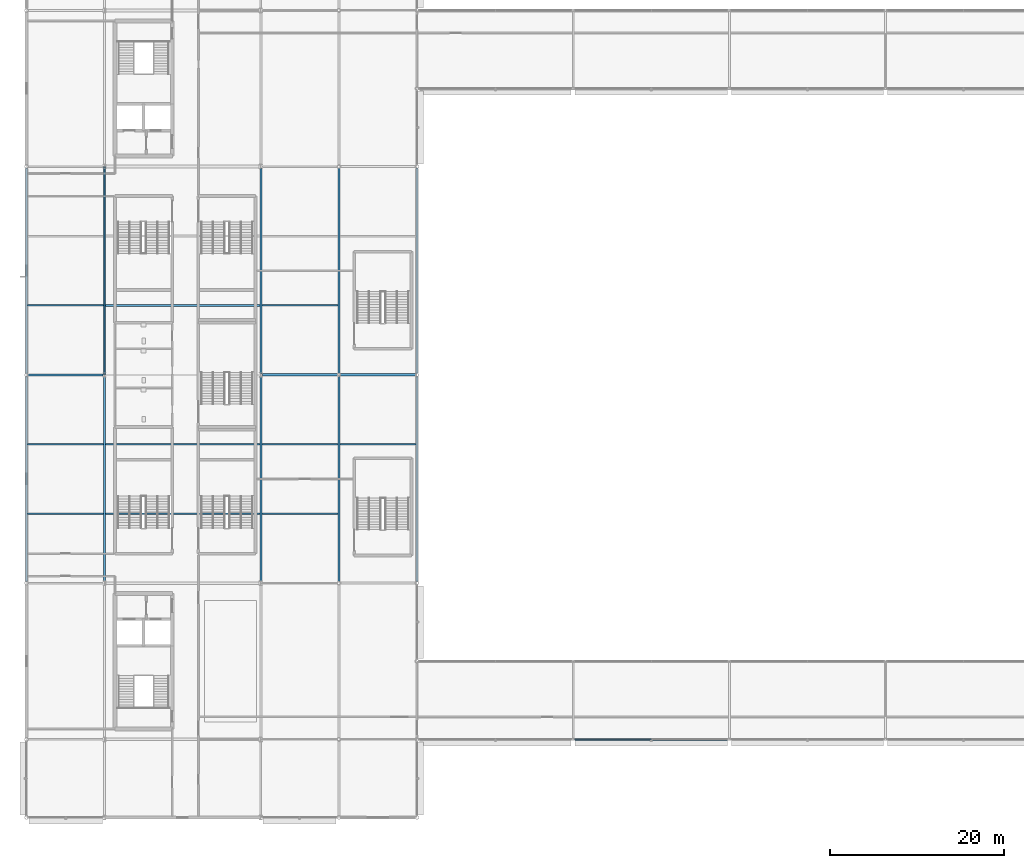
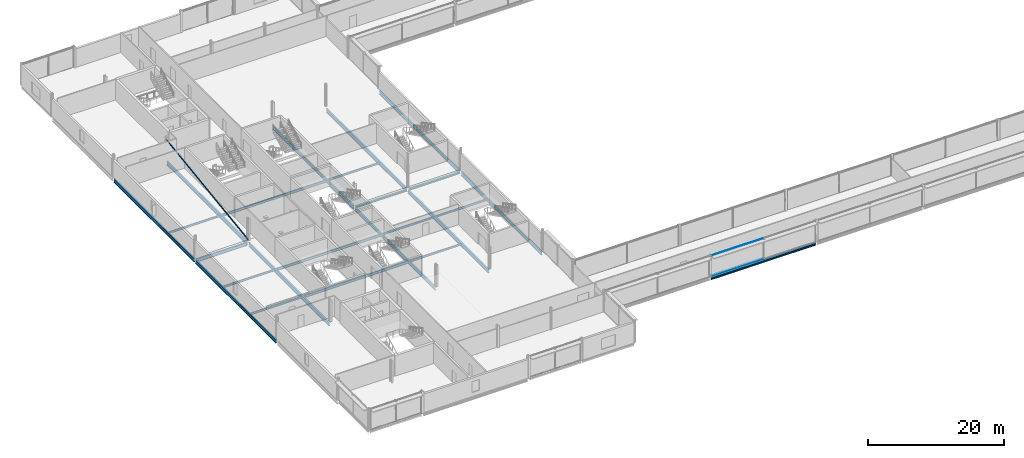
# One storey, part 22 of 96: 24 beams, 3 members, 1 element without a shape of its own.
"""IFC4 building model written with IfcOpenShell, lengths in metres."""

from ifc_helpers import new_model, si_unit, direction, frame, origin, origin_2d, place, context, subcontext, project, spatial, rectangle, hollow_circle, i_section, extrude, material, layer, layer_set, material_profile, profile_set, type_object, element, aggregate, save


model = new_model("IFC4")

# Units and contexts
model_context = context("Model", 3, precision=1e-05, world=origin(), true_north=direction((0.0, 1.0)))
body_context = subcontext(model_context, "Body", "Model", "MODEL_VIEW")
ifc_project = project(units=[si_unit("LENGTHUNIT", "METRE"), si_unit("AREAUNIT", "SQUARE_METRE"), si_unit("VOLUMEUNIT", "CUBIC_METRE"), si_unit("PLANEANGLEUNIT", "RADIAN"), si_unit("MASSUNIT", "GRAM", prefix="KILO")], contexts=[model_context])

# Site, building, storey
site_placement = place(None, origin())
site = spatial("IfcSite", under=ifc_project, at=site_placement, CompositionType="ELEMENT")
building_placement = place(site_placement, origin())
building = spatial("IfcBuilding", under=site, at=building_placement, Name="Kisiwana Market Hall", CompositionType="ELEMENT")
storey_placement = place(building_placement, frame((0.0, 0.0, 25.5)))
storey = spatial("IfcBuildingStorey", under=building, at=storey_placement, Name="L05", CompositionType="ELEMENT", Elevation=25.5)

# Beams
ifc_material_1 = material(Name="Steel S355", Category="steel")
ifc_material_profile_1 = material_profile(ifc_material_1, i_section(OverallWidth=0.22900390625, OverallDepth=0.6123046875, WebThickness=0.011962890625, FlangeThickness=0.01953125, at=origin_2d()), Name="UB 610x229x125")
ifc_profile_set_1 = profile_set([ifc_material_profile_1], Name="Steel S355")
beam_type_1 = type_object("IfcBeamType", Name="BM-GIRD-UB610H", PredefinedType="BEAM", material=ifc_profile_set_1)
for number, where, z_axis, x_axis, name in (
    (1, (0.0, 36.18017578125, -0.62109375), (0.0, 1.0, 0.0), (-1.0, 0.0, 0.0), "Floor beam B-1671"),
    (2, (0.0, 60.18017578125, -0.62109375), (0.0, 1.0, 0.0), (-1.0, 0.0, 0.0), "Floor beam B-1672"),
):
    element("IfcBeam", number, at=place(storey_placement, frame(where, z_axis=z_axis, x_axis=x_axis)), inside=storey, type_object=beam_type_1, Name=name, PredefinedType="BEAM", context=body_context, shape_type="SweptSolid", body=[
        extrude(i_section(OverallWidth=0.22900390625, OverallDepth=0.6123046875, WebThickness=0.011962890625, FlangeThickness=0.01953125, at=origin_2d()), origin(), (0.0, 0.0, 1.0), 23.6396484375),
    ])
for number, where, z_axis, x_axis, name in (
    (3, (27.0, 36.1865234375, -0.62109375), (0.0, 1.0, 0.0), (-1.0, 0.0, 0.0), "Floor beam B-1675"),
    (4, (27.0, 60.1865234375, -0.62109375), (0.0, 1.0, 0.0), (-1.0, 0.0, 0.0), "Floor beam B-1676"),
):
    element("IfcBeam", number, at=place(storey_placement, frame(where, z_axis=z_axis, x_axis=x_axis)), inside=storey, type_object=beam_type_1, Name=name, PredefinedType="BEAM", context=body_context, shape_type="SweptSolid", body=[
        extrude(i_section(OverallWidth=0.22900390625, OverallDepth=0.6123046875, WebThickness=0.011962890625, FlangeThickness=0.01953125, at=origin_2d()), origin(), (0.0, 0.0, 1.0), 23.626953125),
    ])
for number, where, z_axis, x_axis, name in (
    (5, (45.0, 36.18017578125, -0.62109375), (0.0, 1.0, 0.0), (-1.0, 0.0, 0.0), "Floor beam B-1679"),
    (6, (45.0, 60.18017578125, -0.62109375), (0.0, 1.0, 0.0), (-1.0, 0.0, 0.0), "Floor beam B-1680"),
):
    element("IfcBeam", number, at=place(storey_placement, frame(where, z_axis=z_axis, x_axis=x_axis)), inside=storey, type_object=beam_type_1, Name=name, PredefinedType="BEAM", context=body_context, shape_type="SweptSolid", body=[
        extrude(i_section(OverallWidth=0.22900390625, OverallDepth=0.6123046875, WebThickness=0.011962890625, FlangeThickness=0.01953125, at=origin_2d()), origin(), (0.0, 0.0, 1.0), 23.6396484375),
    ])
beam_1_placement = place(storey_placement, frame((0.182373046875, 60.0, -0.62109375), z_axis=(1.0, 0.0, 0.0), x_axis=(0.0, 1.0, 0.0)))
element("IfcBeam", 7, at=beam_1_placement, inside=storey, type_object=beam_type_1, Name="Primary girder B-1519", PredefinedType="BEAM", context=body_context, shape_type="SweptSolid", body=[
    extrude(i_section(OverallWidth=0.22900390625, OverallDepth=0.6123046875, WebThickness=0.011962890625, FlangeThickness=0.01953125, at=origin_2d()), origin(), (0.0, 0.0, 1.0), 8.624267578125),
])
ifc_material_2 = material(Name="Steel S355", Category="steel")
ifc_material_profile_2 = material_profile(ifc_material_2, i_section(OverallWidth=0.253662109375, OverallDepth=0.68359375, WebThickness=0.012451171875, FlangeThickness=0.01904296875, at=origin_2d()), Name="UB 686x254x140")
ifc_profile_set_2 = profile_set([ifc_material_profile_2], Name="Steel S355")
beam_type_2 = type_object("IfcBeamType", Name="BM-GIRD-UB686", PredefinedType="BEAM", material=ifc_profile_set_2)
for number, where, z_axis, x_axis, name in (
    (8, (9.0, 36.1865234375, -0.65673828125), (0.0, 1.0, 0.0), (-1.0, 0.0, 0.0), "Primary girder B-1523"),
    (9, (9.0, 60.1865234375, -0.65673828125), (0.0, 1.0, 0.0), (-1.0, 0.0, 0.0), "Primary girder B-1524"),
):
    element("IfcBeam", number, at=place(storey_placement, frame(where, z_axis=z_axis, x_axis=x_axis)), inside=storey, type_object=beam_type_2, Name=name, PredefinedType="BEAM", context=body_context, shape_type="SweptSolid", body=[
        extrude(i_section(OverallWidth=0.253662109375, OverallDepth=0.68359375, WebThickness=0.012451171875, FlangeThickness=0.01904296875, at=origin_2d()), origin(), (0.0, 0.0, 1.0), 23.626953125),
    ])
for number, where, z_axis, x_axis, name in (
    (10, (36.0, 36.18017578125, -0.65673828125), (0.0, 1.0, 0.0), (-1.0, 0.0, 0.0), "Primary girder B-1533"),
    (11, (36.0, 60.18017578125, -0.65673828125), (0.0, 1.0, 0.0), (-1.0, 0.0, 0.0), "Primary girder B-1534"),
):
    element("IfcBeam", number, at=place(storey_placement, frame(where, z_axis=z_axis, x_axis=x_axis)), inside=storey, type_object=beam_type_2, Name=name, PredefinedType="BEAM", context=body_context, shape_type="SweptSolid", body=[
        extrude(i_section(OverallWidth=0.253662109375, OverallDepth=0.68359375, WebThickness=0.012451171875, FlangeThickness=0.01904296875, at=origin_2d()), origin(), (0.0, 0.0, 1.0), 23.6396484375),
    ])
ifc_material_3 = material(Name="Steel S355", Category="steel")
ifc_material_profile_3 = material_profile(ifc_material_3, i_section(OverallWidth=0.17138671875, OverallDepth=0.35498046875, WebThickness=0.00732421875, FlangeThickness=0.011474609375, at=origin_2d()), Name="UB 356x171x51")
ifc_profile_set_3 = profile_set([ifc_material_profile_3], Name="Steel S355")
beam_type_3 = type_object("IfcBeamType", Name="BM-JOIST-UB356", PredefinedType="JOIST", material=ifc_profile_set_3)
for number, where, z_axis, x_axis, name in (
    (12, (0.113525390625, 44.0, -0.492431640625), (1.0, 0.0, 0.0), (0.0, 1.0, 0.0), "Secondary floor joist B-1567"),
    (13, (27.113525390625, 44.0, -0.492431640625), (1.0, 0.0, 0.0), (0.0, 1.0, 0.0), "Secondary floor joist B-1569"),
    (14, (0.113525390625, 52.0, -0.492431640625), (1.0, 0.0, 0.0), (0.0, 1.0, 0.0), "Secondary floor joist B-1573"),
    (15, (27.113525390625, 52.0, -0.492431640625), (1.0, 0.0, 0.0), (0.0, 1.0, 0.0), "Secondary floor joist B-1575"),
    (16, (36.125732421875, 52.0, -0.492431640625), (1.0, 0.0, 0.0), (0.0, 1.0, 0.0), "Secondary floor joist B-1576"),
    (17, (0.113525390625, 68.0, -0.492431640625), (1.0, 0.0, 0.0), (0.0, 1.0, 0.0), "Secondary floor joist B-1581"),
    (18, (27.113525390625, 68.0, -0.492431640625), (1.0, 0.0, 0.0), (0.0, 1.0, 0.0), "Secondary floor joist B-1583"),
):
    element("IfcBeam", number, at=place(storey_placement, frame(where, z_axis=z_axis, x_axis=x_axis)), inside=storey, type_object=beam_type_3, Name=name, PredefinedType="JOIST", context=body_context, shape_type="SweptSolid", body=[
        extrude(i_section(OverallWidth=0.17138671875, OverallDepth=0.35498046875, WebThickness=0.00732421875, FlangeThickness=0.011474609375, at=origin_2d()), origin(), (0.0, 0.0, 1.0), 8.7607421875),
    ])
ifc_material_4 = material(Name="Steel S355", Category="steel")
ifc_material_profile_4 = material_profile(ifc_material_4, i_section(OverallWidth=0.18994140625, OverallDepth=0.453369140625, WebThickness=0.008544921875, FlangeThickness=0.0126953125, at=origin_2d()), Name="UB 457x191x67")
ifc_profile_set_4 = profile_set([ifc_material_profile_4], Name="Steel S355")
beam_type_4 = type_object("IfcBeamType", Name="BM-JOIST-UB457", PredefinedType="JOIST", material=ifc_profile_set_4)
for number, where, z_axis, x_axis, name in (
    (19, (9.125732421875, 44.0, -0.541748046875), (1.0, 0.0, 0.0), (0.0, 1.0, 0.0), "Secondary floor joist B-1568"),
    (20, (9.125732421875, 52.0, -0.541748046875), (1.0, 0.0, 0.0), (0.0, 1.0, 0.0), "Secondary floor joist B-1574"),
    (21, (9.125732421875, 68.0, -0.541748046875), (1.0, 0.0, 0.0), (0.0, 1.0, 0.0), "Secondary floor joist B-1582"),
):
    element("IfcBeam", number, at=place(storey_placement, frame(where, z_axis=z_axis, x_axis=x_axis)), inside=storey, type_object=beam_type_4, Name=name, PredefinedType="JOIST", context=body_context, shape_type="SweptSolid", body=[
        extrude(i_section(OverallWidth=0.18994140625, OverallDepth=0.453369140625, WebThickness=0.008544921875, FlangeThickness=0.0126953125, at=origin_2d()), origin(), (0.0, 0.0, 1.0), 17.7607421875),
    ])
ifc_material_5 = material(Name="Steel S355", Category="steel")
ifc_material_profile_5 = material_profile(ifc_material_5, i_section(OverallWidth=0.314453125, OverallDepth=0.33984375, WebThickness=0.01904296875, FlangeThickness=0.031494140625, at=origin_2d()), Name="UC 305x305x198")
ifc_profile_set_5 = profile_set([ifc_material_profile_5], Name="Steel S355")
beam_type_5 = type_object("IfcBeamType", Name="BM-SKYBR-CHORD", PredefinedType="BEAM", material=ifc_profile_set_5)
beam_2_placement = place(storey_placement, frame((63.12109375, 18.0, -0.43505859375), z_axis=(1.0, 0.0, 0.0), x_axis=(0.0, 1.0, 0.0)))
element("IfcBeam", 22, at=beam_2_placement, inside=storey, type_object=beam_type_5, Name="Floor beam B-1608", PredefinedType="BEAM", context=body_context, shape_type="SweptSolid", body=[
    extrude(i_section(OverallWidth=0.314453125, OverallDepth=0.33984375, WebThickness=0.01904296875, FlangeThickness=0.031494140625, at=origin_2d()), origin(), (0.0, 0.0, 1.0), 17.7578125),
])
beam_3_placement = place(storey_placement, frame((27.193359375, 60.0, -0.48486328125), z_axis=(1.0, 0.0, 0.0), x_axis=(0.0, 1.0, 0.0)))
element("IfcBeam", 23, at=beam_3_placement, inside=storey, type_object=beam_type_5, Name="Floor beam B-1631", PredefinedType="BEAM", context=body_context, shape_type="SweptSolid", body=[
    extrude(i_section(OverallWidth=0.314453125, OverallDepth=0.33984375, WebThickness=0.01904296875, FlangeThickness=0.031494140625, at=origin_2d()), origin(), (0.0, 0.0, 1.0), 8.624267578125),
])
beam_4_placement = place(storey_placement, frame((36.182373046875, 60.0, -0.48486328125), z_axis=(1.0, 0.0, 0.0), x_axis=(0.0, 1.0, 0.0)))
element("IfcBeam", 24, at=beam_4_placement, inside=storey, type_object=beam_type_5, Name="Floor beam B-1517", PredefinedType="BEAM", context=body_context, shape_type="SweptSolid", body=[
    extrude(i_section(OverallWidth=0.314453125, OverallDepth=0.33984375, WebThickness=0.01904296875, FlangeThickness=0.031494140625, at=origin_2d()), origin(), (0.0, 0.0, 1.0), 8.63525390625),
])

# Curtain wall, members
ifc_material_6 = material(Name="Double-glazed solar-control low-E IGU", Category="glass")
ifc_layer = layer(ifc_material_6, 0.159912109375)
ifc_layer_set = layer_set([ifc_layer], Name="CW-ZNA-EW-8200")
curtain_wall_type = type_object("IfcCurtainWallType", Name="CW-ZNA-EW-8200", PredefinedType="USERDEFINED", material=ifc_layer_set)
curtain_wall_placement = place(storey_placement, origin())
curtain_wall = element("IfcCurtainWall", 25, at=curtain_wall_placement, inside=storey, type_object=curtain_wall_type, Name="Unitised curtain wall CW-133 (L05)", ObjectType="UNITISED CURTAIN WALL", PredefinedType="USERDEFINED")
ifc_material_7 = material(Name="Aluminium alloy 6063-T6", Category="aluminium")
ifc_material_profile_6 = material_profile(ifc_material_7, rectangle(XDim=0.1201171875, YDim=0.06005859375, at=origin_2d()), Name="ALU TRANSOM 60x120")
ifc_profile_set_6 = profile_set([ifc_material_profile_6], Name="Aluminium alloy 6063-T6")
member_type_1 = type_object("IfcMemberType", Name="CW-TRAN-60x120", PredefinedType="USERDEFINED", material=ifc_profile_set_6)
member_1_placement = place(storey_placement, frame((63.18505859375, 18.0, 0.030029296875), z_axis=(1.0, 0.0, 0.0), x_axis=(0.0, 1.0, 0.0)))
member_1 = element("IfcMember", 26, at=member_1_placement, type_object=member_type_1, Name="CW-133 transom 1.1", ObjectType="TRANSOM", PredefinedType="USERDEFINED", context=body_context, shape_type="SweptSolid", body=[
    extrude(rectangle(XDim=0.1201171875, YDim=0.06005859375, at=origin_2d()), origin(), (0.0, 0.0, 1.0), 8.784912109375),
])
member_2_placement = place(storey_placement, frame((63.18505859375, 18.0, 3.625), z_axis=(1.0, 0.0, 0.0), x_axis=(0.0, 1.0, 0.0)))
member_2 = element("IfcMember", 27, at=member_2_placement, type_object=member_type_1, Name="CW-133 transom 1.2", ObjectType="TRANSOM", PredefinedType="USERDEFINED", context=body_context, shape_type="SweptSolid", body=[
    extrude(rectangle(XDim=0.1201171875, YDim=0.06005859375, at=origin_2d()), origin(), (0.0, 0.0, 1.0), 8.784912109375),
])
aggregate(curtain_wall, [member_1, member_2])

# Member
ifc_material_8 = material(Name="Steel S355", Category="steel")
ifc_material_profile_7 = material_profile(ifc_material_8, hollow_circle(Radius=0.096923828125, WallThickness=0.010009765625, at=origin_2d()), Name="CHS 193.7x10")
ifc_profile_set_7 = profile_set([ifc_material_profile_7], Name="Steel S355")
member_type_2 = type_object("IfcMemberType", Name="MB-CBF-CHS193", PredefinedType="BRACE", material=ifc_profile_set_7)
member_3_placement = place(storey_placement, frame((9.0, 60.0, 0.0), z_axis=(0.0, 0.990370167022, 0.1384446903), x_axis=(-1.0, 0.0, 0.0)))
element("IfcMember", 28, at=member_3_placement, inside=storey, type_object=member_type_2, Name="CBF-W-S diagonal brace (L05) M-0029", PredefinedType="BRACE", context=body_context, shape_type="SweptSolid", body=[
    extrude(hollow_circle(Radius=0.096923828125, WallThickness=0.010009765625, at=origin_2d()), origin(), (0.0, 0.0, 1.0), 24.2333984375),
])

save(model, "model.ifc")
